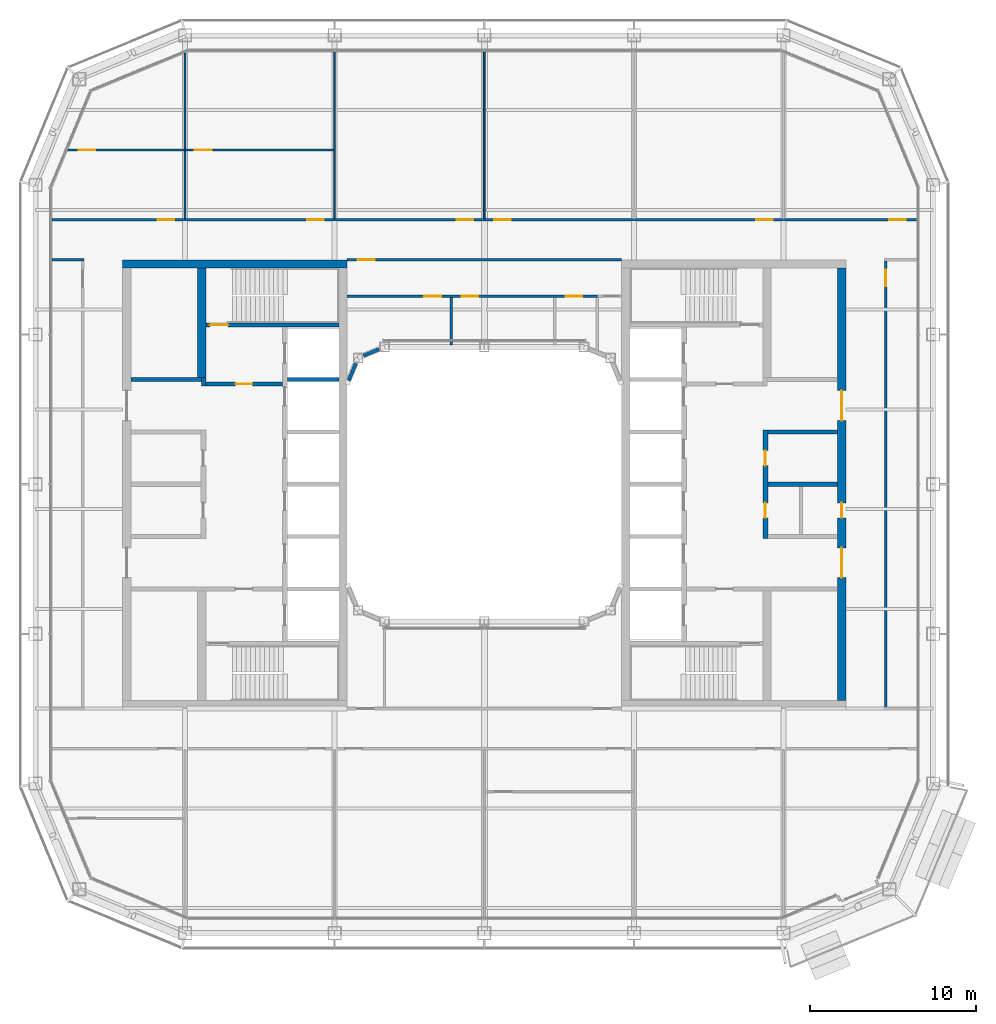
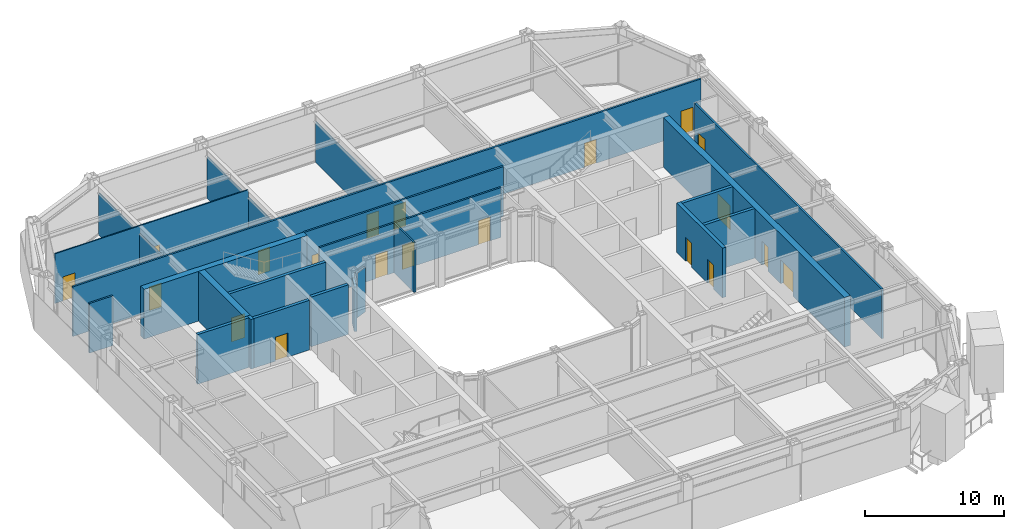
# One storey, part 14 of 22: 24 walls, 20 doors, 20 openings.
"""IFC4 building model written with IfcOpenShell, lengths in metres."""

from ifc_helpers import new_model, si_unit, direction, frame, frame_2d, origin, place, context, subcontext, project, spatial, rectangle, extrude, material, layer, layer_set, type_object, element, fill, save


model = new_model("IFC4")

# Units and contexts
model_context = context("Model", 3, precision=1e-05, world=origin(), true_north=direction((0.0, 1.0)))
body_context = subcontext(model_context, "Body", "Model", "MODEL_VIEW")
ifc_project = project(units=[si_unit("LENGTHUNIT", "METRE"), si_unit("AREAUNIT", "SQUARE_METRE"), si_unit("VOLUMEUNIT", "CUBIC_METRE"), si_unit("PLANEANGLEUNIT", "RADIAN"), si_unit("MASSUNIT", "GRAM", prefix="KILO")], contexts=[model_context])

# Site, building, storey
site_placement = place(None, origin())
site = spatial("IfcSite", under=ifc_project, at=site_placement, CompositionType="ELEMENT")
building_placement = place(site_placement, origin())
building = spatial("IfcBuilding", under=site, at=building_placement, Name="Siwar Civic Tower", CompositionType="ELEMENT")
storey_placement = place(building_placement, frame((0.0, 0.0, 255.699951171875)))
storey = spatial("IfcBuildingStorey", under=building, at=storey_placement, Name="L55", CompositionType="ELEMENT", Elevation=255.699951171875)

# Wall, opening, door
ifc_material_1 = material(Name="Concrete C60/75", Category="concrete")
ifc_layer_1 = layer(ifc_material_1, 0.25)
ifc_layer_set_1 = layer_set([ifc_layer_1], Name="Concrete C60/75")
wall_type_1 = type_object("IfcWallType", Name="CORE-WALL-RC250", PredefinedType="SHEAR", material=ifc_layer_set_1)
wall_1_placement = place(storey_placement, frame((-12.14990234375, 6.02490234375, 0.0), z_axis=(0.0, 0.0, 1.0), x_axis=(-1.0, 0.0, 0.0)))
wall_1 = element("IfcWall", 1, at=wall_1_placement, inside=storey, type_object=wall_type_1, Name="Core wall W", PredefinedType="SHEAR", context=body_context, shape_type="SweptSolid", body=[
    extrude(rectangle(XDim=4.60009765625, YDim=0.25, at=frame_2d((2.300048828125, 0.0))), origin(), (0.0, 0.0, 1.0), 4.35009765625),
])
opening_1_placement = place(wall_1_placement, frame((1.800048828125, 0.0, 0.0)))
opening_1 = element("IfcOpeningElement", 2, at=opening_1_placement, cuts=wall_1, Name="Opening L55-CW01", PredefinedType="OPENING", context=body_context, shape_type="SweptSolid", body=[
    extrude(rectangle(XDim=1.0, YDim=2.10009765625, at=frame_2d((0.5, 1.050048828125))), frame((0.0, 0.135009765625, 0.0), z_axis=(0.0, -1.0, 0.0), x_axis=(1.0, 0.0, 0.0)), (0.0, 0.0, 1.0), 0.27001953125),
])
ifc_material_2 = material(Name="Steel door leaf", Category="steel")
door_type_1 = type_object("IfcDoorType", Name="CORE-DOOR-FD30S", OperationType="SINGLE_SWING_LEFT", PredefinedType="DOOR", material=ifc_material_2)
door_1_placement = place(opening_1_placement, origin())
door_1 = element("IfcDoor", 3, at=door_1_placement, inside=storey, type_object=door_type_1, Name="Firefighting lobby door L55-CW01", OperationType="SINGLE_SWING_LEFT", OverallHeight=2.10009765625, OverallWidth=1.0, PredefinedType="DOOR", context=body_context, shape_type="SweptSolid", body=[
    extrude(rectangle(XDim=1.0, YDim=2.10009765625, at=frame_2d((0.5, 1.050048828125))), frame((0.0, 0.02490234375, 0.0), z_axis=(0.0, -1.0, 0.0), x_axis=(1.0, 0.0, 0.0)), (0.0, 0.0, 1.0), 0.050048828125),
])
fill(opening_1, door_1)

# Walls
wall_2_placement = place(storey_placement, frame((-16.875, 5.89990234375, 0.0), z_axis=(0.0, 0.0, 1.0), x_axis=(0.0, 1.0, 0.0)))
element("IfcWall", 4, at=wall_2_placement, inside=storey, type_object=wall_type_1, Name="Core wall W", PredefinedType="SHEAR", context=body_context, shape_type="SweptSolid", body=[
    extrude(rectangle(XDim=0.525146484375, YDim=0.25, at=frame_2d((0.2626953125, 0.0))), origin(), (0.0, 0.0, 1.0), 4.35009765625),
])
wall_3_placement = place(storey_placement, frame((-17.0, 6.300048828125, 0.0), z_axis=(0.0, 0.0, 1.0), x_axis=(-1.0, 0.0, 0.0)))
element("IfcWall", 5, at=wall_3_placement, inside=storey, type_object=wall_type_1, Name="Core wall W", PredefinedType="SHEAR", context=body_context, shape_type="SweptSolid", body=[
    extrude(rectangle(XDim=4.25, YDim=0.25, at=frame_2d((2.125, 0.0))), origin(), (0.0, 0.0, 1.0), 4.35009765625),
])
wall_4_placement = place(storey_placement, frame((-8.75, 6.300048828125, 0.0), z_axis=(0.0, 0.0, 1.0), x_axis=(-1.0, 0.0, 0.0)))
element("IfcWall", 6, at=wall_4_placement, inside=storey, type_object=wall_type_1, Name="Core wall W", PredefinedType="SHEAR", context=body_context, shape_type="SweptSolid", body=[
    extrude(rectangle(XDim=3.10009765625, YDim=0.25, at=frame_2d((1.550048828125, 0.0))), origin(), (0.0, 0.0, 1.0), 4.35009765625),
])

# Wall, opening, door
wall_5_placement = place(storey_placement, frame((-8.75, 9.574951171875, 0.0), z_axis=(0.0, 0.0, 1.0), x_axis=(-1.0, 0.0, 0.0)))
wall_5 = element("IfcWall", 7, at=wall_5_placement, inside=storey, type_object=wall_type_1, Name="Core wall W", PredefinedType="SHEAR", context=body_context, shape_type="SweptSolid", body=[
    extrude(rectangle(XDim=8.0, YDim=0.25, at=frame_2d((4.0, 0.0))), origin(), (0.0, 0.0, 1.0), 4.35009765625),
])
opening_2_placement = place(wall_5_placement, frame((6.64990234375, 0.0, 0.0)))
opening_2 = element("IfcOpeningElement", 8, at=opening_2_placement, cuts=wall_5, Name="Opening L55-CW03", PredefinedType="OPENING", context=body_context, shape_type="SweptSolid", body=[
    extrude(rectangle(XDim=1.10009765625, YDim=2.10009765625, at=frame_2d((0.550048828125, 1.050048828125))), frame((0.0, 0.135009765625, 0.0), z_axis=(0.0, -1.0, 0.0), x_axis=(1.0, 0.0, 0.0)), (0.0, 0.0, 1.0), 0.27001953125),
])
ifc_material_3 = material(Name="Steel door leaf", Category="steel")
door_type_2 = type_object("IfcDoorType", Name="CORE-DOOR-FD60S", OperationType="SINGLE_SWING_LEFT", PredefinedType="DOOR", material=ifc_material_3)
door_2_placement = place(opening_2_placement, origin())
door_2 = element("IfcDoor", 9, at=door_2_placement, inside=storey, type_object=door_type_2, Name="Stair door L55-CW03", OperationType="SINGLE_SWING_RIGHT", OverallHeight=2.10009765625, OverallWidth=1.10009765625, PredefinedType="DOOR", context=body_context, shape_type="SweptSolid", body=[
    extrude(rectangle(XDim=1.10009765625, YDim=2.10009765625, at=frame_2d((0.550048828125, 1.050048828125))), frame((0.0, 0.02490234375, 0.0), z_axis=(0.0, -1.0, 0.0), x_axis=(1.0, 0.0, 0.0)), (0.0, 0.0, 1.0), 0.050048828125),
])
fill(opening_2, door_2)

# Walls
for number, where, z_axis, x_axis, name in (
    (10, (17.050048828125, 0.0, 0.0), (0.0, 0.0, 1.0), (1.0, 0.0, 0.0), "Core wall E"),
    (11, (17.050048828125, 3.14990234375, 0.0), (0.0, 0.0, 1.0), (1.0, 0.0, 0.0), "Core wall E"),
):
    element("IfcWall", number, at=place(storey_placement, frame(where, z_axis=z_axis, x_axis=x_axis)), inside=storey, type_object=wall_type_1, Name=name, PredefinedType="SHEAR", context=body_context, shape_type="SweptSolid", body=[
        extrude(rectangle(XDim=4.199951171875, YDim=0.25, at=frame_2d((2.10009765625, 0.0))), origin(), (0.0, 0.0, 1.0), 4.35009765625),
    ])

# Wall, openings, doors
ifc_material_4 = material(Name="Concrete C60/75", Category="concrete")
ifc_layer_2 = layer(ifc_material_4, 0.300048828125)
ifc_layer_set_2 = layer_set([ifc_layer_2], Name="Concrete C60/75")
wall_type_2 = type_object("IfcWallType", Name="CORE-WALL-RC300", PredefinedType="SHEAR", material=ifc_layer_set_2)
wall_6_placement = place(storey_placement, frame((16.89990234375, -3.27490234375, 0.0), z_axis=(0.0, 0.0, 1.0), x_axis=(0.0, 1.0, 0.0)))
wall_6 = element("IfcWall", 12, at=wall_6_placement, inside=storey, type_object=wall_type_2, Name="Core wall E", PredefinedType="SHEAR", context=body_context, shape_type="SweptSolid", body=[
    extrude(rectangle(XDim=6.5498046875, YDim=0.300048828125, at=frame_2d((3.27490234375, 0.0))), origin(), (0.0, 0.0, 1.0), 4.35009765625),
])
opening_3_placement = place(wall_6_placement, frame((1.25, 0.0, 0.0)))
opening_3 = element("IfcOpeningElement", 13, at=opening_3_placement, cuts=wall_6, Name="Opening L55-CE13", PredefinedType="OPENING", context=body_context, shape_type="SweptSolid", body=[
    extrude(rectangle(XDim=0.89990234375, YDim=2.10009765625, at=frame_2d((0.449951171875, 1.050048828125))), frame((0.0, 0.16015625, 0.0), z_axis=(0.0, -1.0, 0.0), x_axis=(1.0, 0.0, 0.0)), (0.0, 0.0, 1.0), 0.320068359375),
])
opening_4_placement = place(wall_6_placement, frame((4.39990234375, 0.0, 0.0)))
opening_4 = element("IfcOpeningElement", 14, at=opening_4_placement, cuts=wall_6, Name="Opening L55-CE15", PredefinedType="OPENING", context=body_context, shape_type="SweptSolid", body=[
    extrude(rectangle(XDim=0.89990234375, YDim=2.10009765625, at=frame_2d((0.449951171875, 1.050048828125))), frame((0.0, 0.16015625, 0.0), z_axis=(0.0, -1.0, 0.0), x_axis=(1.0, 0.0, 0.0)), (0.0, 0.0, 1.0), 0.320068359375),
])
ifc_material_5 = material(Name="Steel door leaf", Category="steel")
door_type_3 = type_object("IfcDoorType", Name="CORE-DOOR-ROOM", OperationType="SINGLE_SWING_LEFT", PredefinedType="DOOR", material=ifc_material_5)
door_3_placement = place(opening_3_placement, origin())
door_3 = element("IfcDoor", 15, at=door_3_placement, inside=storey, type_object=door_type_3, Name="Core room door L55-CE13", OperationType="SINGLE_SWING_RIGHT", OverallHeight=2.10009765625, OverallWidth=0.89990234375, PredefinedType="DOOR", context=body_context, shape_type="SweptSolid", body=[
    extrude(rectangle(XDim=0.89990234375, YDim=2.10009765625, at=frame_2d((0.449951171875, 1.050048828125))), frame((0.0, 0.02490234375, 0.0), z_axis=(0.0, -1.0, 0.0), x_axis=(1.0, 0.0, 0.0)), (0.0, 0.0, 1.0), 0.050048828125),
])
fill(opening_3, door_3)
door_4_placement = place(opening_4_placement, origin())
door_4 = element("IfcDoor", 16, at=door_4_placement, inside=storey, type_object=door_type_3, Name="Core room door L55-CE15", OperationType="SINGLE_SWING_LEFT", OverallHeight=2.10009765625, OverallWidth=0.89990234375, PredefinedType="DOOR", context=body_context, shape_type="SweptSolid", body=[
    extrude(rectangle(XDim=0.89990234375, YDim=2.10009765625, at=frame_2d((0.449951171875, 1.050048828125))), frame((0.0, 0.02490234375, 0.0), z_axis=(0.0, -1.0, 0.0), x_axis=(1.0, 0.0, 0.0)), (0.0, 0.0, 1.0), 0.050048828125),
])
fill(opening_4, door_4)

# Walls
ifc_material_6 = material(Name="Concrete C60/75", Category="concrete")
ifc_layer_3 = layer(ifc_material_6, 0.5)
ifc_layer_set_3 = layer_set([ifc_layer_3], Name="Concrete C60/75")
wall_type_3 = type_object("IfcWallType", Name="CORE-WALL-RC500", PredefinedType="SHEAR", material=ifc_layer_set_3)
wall_7_placement = place(storey_placement, frame((-17.0, 6.425048828125, 0.0), z_axis=(0.0, 0.0, 1.0), x_axis=(0.0, 1.0, 0.0)))
element("IfcWall", 17, at=wall_7_placement, inside=storey, type_object=wall_type_3, Name="Core wall W", PredefinedType="SHEAR", context=body_context, shape_type="SweptSolid", body=[
    extrude(rectangle(XDim=6.574951171875, YDim=0.5, at=frame_2d((3.28759765625, 0.0))), origin(), (0.0, 0.0, 1.0), 4.35009765625),
])
wall_8_placement = place(storey_placement, frame((-8.25, 13.25, 0.0), z_axis=(0.0, 0.0, 1.0), x_axis=(-1.0, 0.0, 0.0)))
element("IfcWall", 18, at=wall_8_placement, inside=storey, type_object=wall_type_3, Name="Core wall W", PredefinedType="SHEAR", context=body_context, shape_type="SweptSolid", body=[
    extrude(rectangle(XDim=13.5, YDim=0.5, at=frame_2d((6.75, 0.0))), origin(), (0.0, 0.0, 1.0), 4.35009765625),
])

# Wall, openings, doors
wall_9_placement = place(storey_placement, frame((21.5, -13.0, 0.0), z_axis=(0.0, 0.0, 1.0), x_axis=(0.0, 1.0, 0.0)))
wall_9 = element("IfcWall", 19, at=wall_9_placement, inside=storey, type_object=wall_type_3, Name="Core wall E", PredefinedType="SHEAR", context=body_context, shape_type="SweptSolid", body=[
    extrude(rectangle(XDim=26.0, YDim=0.5, at=frame_2d((13.0, 0.0))), origin(), (0.0, 0.0, 1.0), 4.35009765625),
])
opening_5_placement = place(wall_9_placement, frame((16.824951171875, 0.0, 0.0)))
opening_5 = element("IfcOpeningElement", 20, at=opening_5_placement, cuts=wall_9, Name="Opening L55-CE05", PredefinedType="OPENING", context=body_context, shape_type="SweptSolid", body=[
    extrude(rectangle(XDim=1.800048828125, YDim=2.10009765625, at=frame_2d((0.89990234375, 1.050048828125))), frame((0.0, 0.260009765625, 0.0), z_axis=(0.0, -1.0, 0.0), x_axis=(1.0, 0.0, 0.0)), (0.0, 0.0, 1.0), 0.52001953125),
])
opening_6_placement = place(wall_9_placement, frame((7.375, 0.0, 0.0)))
opening_6 = element("IfcOpeningElement", 21, at=opening_6_placement, cuts=wall_9, Name="Opening L55-CE06", PredefinedType="OPENING", context=body_context, shape_type="SweptSolid", body=[
    extrude(rectangle(XDim=1.800048828125, YDim=2.10009765625, at=frame_2d((0.89990234375, 1.050048828125))), frame((0.0, 0.260009765625, 0.0), z_axis=(0.0, -1.0, 0.0), x_axis=(1.0, 0.0, 0.0)), (0.0, 0.0, 1.0), 0.52001953125),
])
opening_7_placement = place(wall_9_placement, frame((10.97509765625, 0.0, 0.0)))
opening_7 = element("IfcOpeningElement", 22, at=opening_7_placement, cuts=wall_9, Name="Opening L55-CE14", PredefinedType="OPENING", context=body_context, shape_type="SweptSolid", body=[
    extrude(rectangle(XDim=0.89990234375, YDim=2.10009765625, at=frame_2d((0.449951171875, 1.050048828125))), frame((0.0, 0.260009765625, 0.0), z_axis=(0.0, -1.0, 0.0), x_axis=(1.0, 0.0, 0.0)), (0.0, 0.0, 1.0), 0.52001953125),
])
ifc_material_7 = material(Name="Steel door leaf", Category="steel")
door_type_4 = type_object("IfcDoorType", Name="CORE-DOOR-PORT", OperationType="DOUBLE_DOOR_DOUBLE_SWING", PredefinedType="DOOR", material=ifc_material_7)
door_5_placement = place(opening_5_placement, origin())
door_5 = element("IfcDoor", 23, at=door_5_placement, inside=storey, type_object=door_type_4, Name="Core entrance door L55-CE05", OperationType="DOUBLE_DOOR_DOUBLE_SWING", OverallHeight=2.10009765625, OverallWidth=1.800048828125, PredefinedType="DOOR", context=body_context, shape_type="SweptSolid", body=[
    extrude(rectangle(XDim=1.800048828125, YDim=2.10009765625, at=frame_2d((0.89990234375, 1.050048828125))), frame((0.0, 0.02490234375, 0.0), z_axis=(0.0, -1.0, 0.0), x_axis=(1.0, 0.0, 0.0)), (0.0, 0.0, 1.0), 0.050048828125),
])
fill(opening_5, door_5)
door_6_placement = place(opening_6_placement, origin())
door_6 = element("IfcDoor", 24, at=door_6_placement, inside=storey, type_object=door_type_4, Name="Core entrance door L55-CE06", OperationType="DOUBLE_DOOR_DOUBLE_SWING", OverallHeight=2.10009765625, OverallWidth=1.800048828125, PredefinedType="DOOR", context=body_context, shape_type="SweptSolid", body=[
    extrude(rectangle(XDim=1.800048828125, YDim=2.10009765625, at=frame_2d((0.89990234375, 1.050048828125))), frame((0.0, 0.02490234375, 0.0), z_axis=(0.0, -1.0, 0.0), x_axis=(1.0, 0.0, 0.0)), (0.0, 0.0, 1.0), 0.050048828125),
])
fill(opening_6, door_6)
door_7_placement = place(opening_7_placement, origin())
door_7 = element("IfcDoor", 25, at=door_7_placement, inside=storey, type_object=door_type_3, Name="Core room door L55-CE14", OperationType="SINGLE_SWING_LEFT", OverallHeight=2.10009765625, OverallWidth=0.89990234375, PredefinedType="DOOR", context=body_context, shape_type="SweptSolid", body=[
    extrude(rectangle(XDim=0.89990234375, YDim=2.10009765625, at=frame_2d((0.449951171875, 1.050048828125))), frame((0.0, 0.02490234375, 0.0), z_axis=(0.0, -1.0, 0.0), x_axis=(1.0, 0.0, 0.0)), (0.0, 0.0, 1.0), 0.050048828125),
])
fill(opening_7, door_7)

ifc_material_8 = material(Name="Gypsum board on steel studs", Category="steel")
ifc_layer_4 = layer(ifc_material_8, 0.14990234375)
ifc_layer_set_4 = layer_set([ifc_layer_4], Name="Gypsum board on steel studs")
wall_type_4 = type_object("IfcWallType", Name="CORRIDOR PARTITION 150 EI 30", PredefinedType="PARTITIONING", material=ifc_layer_set_4)
wall_10_placement = place(storey_placement, frame((-8.25, 11.300048828125, 0.0), z_axis=(0.0, 0.0, 1.0), x_axis=(1.0, 0.0, 0.0)))
wall_10 = element("IfcWall", 26, at=wall_10_placement, inside=storey, type_object=wall_type_4, Name="L55/wall/P07", PredefinedType="PARTITIONING", context=body_context, shape_type="SweptSolid", body=[
    extrude(rectangle(XDim=15.050048828125, YDim=0.14990234375, at=frame_2d((7.52490234375, 0.0))), origin(), (0.0, 0.0, 1.0), 4.35009765625),
])
opening_8_placement = place(wall_10_placement, frame((4.64990234375, 0.0, 0.0)))
opening_8 = element("IfcOpeningElement", 27, at=opening_8_placement, cuts=wall_10, Name="Opening D3", PredefinedType="OPENING", context=body_context, shape_type="SweptSolid", body=[
    extrude(rectangle(XDim=1.0, YDim=2.10009765625, at=frame_2d((0.5, 1.050048828125))), frame((0.0, 0.0849609375, 0.0), z_axis=(0.0, -1.0, 0.0), x_axis=(1.0, 0.0, 0.0)), (0.0, 0.0, 1.0), 0.169921875),
])
opening_9_placement = place(wall_10_placement, frame((6.89990234375, 0.0, 0.0)))
opening_9 = element("IfcOpeningElement", 28, at=opening_9_placement, cuts=wall_10, Name="Opening D3", PredefinedType="OPENING", context=body_context, shape_type="SweptSolid", body=[
    extrude(rectangle(XDim=1.0, YDim=2.10009765625, at=frame_2d((0.5, 1.050048828125))), frame((0.0, 0.0849609375, 0.0), z_axis=(0.0, -1.0, 0.0), x_axis=(1.0, 0.0, 0.0)), (0.0, 0.0, 1.0), 0.169921875),
])
opening_10_placement = place(wall_10_placement, frame((13.14990234375, 0.0, 0.0)))
opening_10 = element("IfcOpeningElement", 29, at=opening_10_placement, cuts=wall_10, Name="Opening D3", PredefinedType="OPENING", context=body_context, shape_type="SweptSolid", body=[
    extrude(rectangle(XDim=1.0, YDim=2.10009765625, at=frame_2d((0.5, 1.050048828125))), frame((0.0, 0.0849609375, 0.0), z_axis=(0.0, -1.0, 0.0), x_axis=(1.0, 0.0, 0.0)), (0.0, 0.0, 1.0), 0.169921875),
])
ifc_material_9 = material(Name="Timber, painted", Category="wood")
door_type_5 = type_object("IfcDoorType", Name="DOOR 1000 X 2100 WC", OperationType="SINGLE_SWING_LEFT", PredefinedType="DOOR", material=ifc_material_9)
door_8_placement = place(opening_8_placement, origin())
door_8 = element("IfcDoor", 30, at=door_8_placement, inside=storey, type_object=door_type_5, Name="L55-D20", OperationType="SINGLE_SWING_RIGHT", OverallHeight=2.10009765625, OverallWidth=1.0, PredefinedType="DOOR", context=body_context, shape_type="SweptSolid", body=[
    extrude(rectangle(XDim=1.0, YDim=2.10009765625, at=frame_2d((0.5, 1.050048828125))), frame((0.0, 0.02490234375, 0.0), z_axis=(0.0, -1.0, 0.0), x_axis=(1.0, 0.0, 0.0)), (0.0, 0.0, 1.0), 0.050048828125),
])
fill(opening_8, door_8)
door_9_placement = place(opening_9_placement, origin())
door_9 = element("IfcDoor", 31, at=door_9_placement, inside=storey, type_object=door_type_5, Name="L55-D21", OperationType="SINGLE_SWING_LEFT", OverallHeight=2.10009765625, OverallWidth=1.0, PredefinedType="DOOR", context=body_context, shape_type="SweptSolid", body=[
    extrude(rectangle(XDim=1.0, YDim=2.10009765625, at=frame_2d((0.5, 1.050048828125))), frame((0.0, 0.02490234375, 0.0), z_axis=(0.0, -1.0, 0.0), x_axis=(1.0, 0.0, 0.0)), (0.0, 0.0, 1.0), 0.050048828125),
])
fill(opening_9, door_9)
door_10_placement = place(opening_10_placement, origin())
door_10 = element("IfcDoor", 32, at=door_10_placement, inside=storey, type_object=door_type_5, Name="L55-D22", OperationType="SINGLE_SWING_RIGHT", OverallHeight=2.10009765625, OverallWidth=1.0, PredefinedType="DOOR", context=body_context, shape_type="SweptSolid", body=[
    extrude(rectangle(XDim=1.0, YDim=2.10009765625, at=frame_2d((0.5, 1.050048828125))), frame((0.0, 0.02490234375, 0.0), z_axis=(0.0, -1.0, 0.0), x_axis=(1.0, 0.0, 0.0)), (0.0, 0.0, 1.0), 0.050048828125),
])
fill(opening_10, door_10)

# Wall
wall_11_placement = place(storey_placement, frame((-26.010009765625, 13.5, 0.0), z_axis=(0.0, 0.0, 1.0), x_axis=(1.0, 0.0, 0.0)))
element("IfcWall", 33, at=wall_11_placement, inside=storey, type_object=wall_type_4, Name="L55/wall/P09", PredefinedType="PARTITIONING", context=body_context, shape_type="SweptSolid", body=[
    extrude(rectangle(XDim=1.93505859375, YDim=0.14990234375, at=frame_2d((0.967529296875, 0.0))), origin(), (0.0, 0.0, 1.0), 4.35009765625),
])

# Wall, opening, door
wall_12_placement = place(storey_placement, frame((-8.25, 13.5, 0.0), z_axis=(0.0, 0.0, 1.0), x_axis=(1.0, 0.0, 0.0)))
wall_12 = element("IfcWall", 34, at=wall_12_placement, inside=storey, type_object=wall_type_4, Name="L55/wall/P10", PredefinedType="PARTITIONING", context=body_context, shape_type="SweptSolid", body=[
    extrude(rectangle(XDim=16.5, YDim=0.14990234375, at=frame_2d((8.25, 0.0))), origin(), (0.0, 0.0, 1.0), 4.35009765625),
])
opening_11_placement = place(wall_12_placement, frame((0.64990234375, 0.0, 0.0)))
opening_11 = element("IfcOpeningElement", 35, at=opening_11_placement, cuts=wall_12, Name="Opening D1", PredefinedType="OPENING", context=body_context, shape_type="SweptSolid", body=[
    extrude(rectangle(XDim=1.0, YDim=2.10009765625, at=frame_2d((0.5, 1.050048828125))), frame((0.0, 0.0849609375, 0.0), z_axis=(0.0, -1.0, 0.0), x_axis=(1.0, 0.0, 0.0)), (0.0, 0.0, 1.0), 0.169921875),
])
ifc_material_10 = material(Name="Timber, painted", Category="wood")
door_type_6 = type_object("IfcDoorType", Name="DOOR 1000 X 2100 FD30", OperationType="SINGLE_SWING_LEFT", PredefinedType="DOOR", material=ifc_material_10)
door_11_placement = place(opening_11_placement, origin())
door_11 = element("IfcDoor", 36, at=door_11_placement, inside=storey, type_object=door_type_6, Name="L55-D19", OperationType="SINGLE_SWING_LEFT", OverallHeight=2.10009765625, OverallWidth=1.0, PredefinedType="DOOR", context=body_context, shape_type="SweptSolid", body=[
    extrude(rectangle(XDim=1.0, YDim=2.10009765625, at=frame_2d((0.5, 1.050048828125))), frame((0.0, 0.02490234375, 0.0), z_axis=(0.0, -1.0, 0.0), x_axis=(1.0, 0.0, 0.0)), (0.0, 0.0, 1.0), 0.050048828125),
])
fill(opening_11, door_11)

# Wall, openings, doors
wall_13_placement = place(storey_placement, frame((-26.010009765625, 15.89990234375, 0.0), z_axis=(0.0, 0.0, 1.0), x_axis=(1.0, 0.0, 0.0)))
wall_13 = element("IfcWall", 37, at=wall_13_placement, inside=storey, type_object=wall_type_4, Name="L55/wall/P12", PredefinedType="PARTITIONING", context=body_context, shape_type="SweptSolid", body=[
    extrude(rectangle(XDim=52.02001953125, YDim=0.14990234375, at=frame_2d((26.010009765625, 0.0))), origin(), (0.0, 0.0, 1.0), 4.35009765625),
])
opening_12_placement = place(wall_13_placement, frame((15.360107421875, 0.0, 0.0)))
opening_12 = element("IfcOpeningElement", 38, at=opening_12_placement, cuts=wall_13, Name="Opening D1", PredefinedType="OPENING", context=body_context, shape_type="SweptSolid", body=[
    extrude(rectangle(XDim=1.0, YDim=2.10009765625, at=frame_2d((0.5, 1.050048828125))), frame((0.0, 0.0849609375, 0.0), z_axis=(0.0, -1.0, 0.0), x_axis=(1.0, 0.0, 0.0)), (0.0, 0.0, 1.0), 0.169921875),
])
opening_13_placement = place(wall_13_placement, frame((24.360107421875, 0.0, 0.0)))
opening_13 = element("IfcOpeningElement", 39, at=opening_13_placement, cuts=wall_13, Name="Opening D1", PredefinedType="OPENING", context=body_context, shape_type="SweptSolid", body=[
    extrude(rectangle(XDim=1.0, YDim=2.10009765625, at=frame_2d((0.5, 1.050048828125))), frame((0.0, 0.0849609375, 0.0), z_axis=(0.0, -1.0, 0.0), x_axis=(1.0, 0.0, 0.0)), (0.0, 0.0, 1.0), 0.169921875),
])
opening_14_placement = place(wall_13_placement, frame((26.610107421875, 0.0, 0.0)))
opening_14 = element("IfcOpeningElement", 40, at=opening_14_placement, cuts=wall_13, Name="Opening D1", PredefinedType="OPENING", context=body_context, shape_type="SweptSolid", body=[
    extrude(rectangle(XDim=1.0, YDim=2.10009765625, at=frame_2d((0.5, 1.050048828125))), frame((0.0, 0.0849609375, 0.0), z_axis=(0.0, -1.0, 0.0), x_axis=(1.0, 0.0, 0.0)), (0.0, 0.0, 1.0), 0.169921875),
])
opening_15_placement = place(wall_13_placement, frame((42.360107421875, 0.0, 0.0)))
opening_15 = element("IfcOpeningElement", 41, at=opening_15_placement, cuts=wall_13, Name="Opening D1", PredefinedType="OPENING", context=body_context, shape_type="SweptSolid", body=[
    extrude(rectangle(XDim=1.0, YDim=2.10009765625, at=frame_2d((0.5, 1.050048828125))), frame((0.0, 0.0849609375, 0.0), z_axis=(0.0, -1.0, 0.0), x_axis=(1.0, 0.0, 0.0)), (0.0, 0.0, 1.0), 0.169921875),
])
opening_16_placement = place(wall_13_placement, frame((6.360107421875, 0.0, 0.0)))
opening_16 = element("IfcOpeningElement", 42, at=opening_16_placement, cuts=wall_13, Name="Opening D1", PredefinedType="OPENING", context=body_context, shape_type="SweptSolid", body=[
    extrude(rectangle(XDim=1.0, YDim=2.10009765625, at=frame_2d((0.5, 1.050048828125))), frame((0.0, 0.0849609375, 0.0), z_axis=(0.0, -1.0, 0.0), x_axis=(1.0, 0.0, 0.0)), (0.0, 0.0, 1.0), 0.169921875),
])
opening_17_placement = place(wall_13_placement, frame((50.3701171875, 0.0, 0.0)))
opening_17 = element("IfcOpeningElement", 43, at=opening_17_placement, cuts=wall_13, Name="Opening D1", PredefinedType="OPENING", context=body_context, shape_type="SweptSolid", body=[
    extrude(rectangle(XDim=1.0, YDim=2.10009765625, at=frame_2d((0.5, 1.050048828125))), frame((0.0, 0.0849609375, 0.0), z_axis=(0.0, -1.0, 0.0), x_axis=(1.0, 0.0, 0.0)), (0.0, 0.0, 1.0), 0.169921875),
])
door_12_placement = place(opening_12_placement, origin())
door_12 = element("IfcDoor", 44, at=door_12_placement, inside=storey, type_object=door_type_6, Name="L55-D01", OperationType="SINGLE_SWING_LEFT", OverallHeight=2.10009765625, OverallWidth=1.0, PredefinedType="DOOR", context=body_context, shape_type="SweptSolid", body=[
    extrude(rectangle(XDim=1.0, YDim=2.10009765625, at=frame_2d((0.5, 1.050048828125))), frame((0.0, 0.02490234375, 0.0), z_axis=(0.0, -1.0, 0.0), x_axis=(1.0, 0.0, 0.0)), (0.0, 0.0, 1.0), 0.050048828125),
])
fill(opening_12, door_12)
door_13_placement = place(opening_13_placement, origin())
door_13 = element("IfcDoor", 45, at=door_13_placement, inside=storey, type_object=door_type_6, Name="L55-D03", OperationType="SINGLE_SWING_LEFT", OverallHeight=2.10009765625, OverallWidth=1.0, PredefinedType="DOOR", context=body_context, shape_type="SweptSolid", body=[
    extrude(rectangle(XDim=1.0, YDim=2.10009765625, at=frame_2d((0.5, 1.050048828125))), frame((0.0, 0.02490234375, 0.0), z_axis=(0.0, -1.0, 0.0), x_axis=(1.0, 0.0, 0.0)), (0.0, 0.0, 1.0), 0.050048828125),
])
fill(opening_13, door_13)
door_14_placement = place(opening_14_placement, origin())
door_14 = element("IfcDoor", 46, at=door_14_placement, inside=storey, type_object=door_type_6, Name="L55-D04", OperationType="SINGLE_SWING_RIGHT", OverallHeight=2.10009765625, OverallWidth=1.0, PredefinedType="DOOR", context=body_context, shape_type="SweptSolid", body=[
    extrude(rectangle(XDim=1.0, YDim=2.10009765625, at=frame_2d((0.5, 1.050048828125))), frame((0.0, 0.02490234375, 0.0), z_axis=(0.0, -1.0, 0.0), x_axis=(1.0, 0.0, 0.0)), (0.0, 0.0, 1.0), 0.050048828125),
])
fill(opening_14, door_14)
door_15_placement = place(opening_15_placement, origin())
door_15 = element("IfcDoor", 47, at=door_15_placement, inside=storey, type_object=door_type_6, Name="L55-D05", OperationType="SINGLE_SWING_LEFT", OverallHeight=2.10009765625, OverallWidth=1.0, PredefinedType="DOOR", context=body_context, shape_type="SweptSolid", body=[
    extrude(rectangle(XDim=1.0, YDim=2.10009765625, at=frame_2d((0.5, 1.050048828125))), frame((0.0, 0.02490234375, 0.0), z_axis=(0.0, -1.0, 0.0), x_axis=(1.0, 0.0, 0.0)), (0.0, 0.0, 1.0), 0.050048828125),
])
fill(opening_15, door_15)
door_16_placement = place(opening_16_placement, origin())
door_16 = element("IfcDoor", 48, at=door_16_placement, inside=storey, type_object=door_type_6, Name="L55-D11", OperationType="SINGLE_SWING_LEFT", OverallHeight=2.10009765625, OverallWidth=1.0, PredefinedType="DOOR", context=body_context, shape_type="SweptSolid", body=[
    extrude(rectangle(XDim=1.0, YDim=2.10009765625, at=frame_2d((0.5, 1.050048828125))), frame((0.0, 0.02490234375, 0.0), z_axis=(0.0, -1.0, 0.0), x_axis=(1.0, 0.0, 0.0)), (0.0, 0.0, 1.0), 0.050048828125),
])
fill(opening_16, door_16)
door_17_placement = place(opening_17_placement, origin())
door_17 = element("IfcDoor", 49, at=door_17_placement, inside=storey, type_object=door_type_6, Name="L55-D13", OperationType="SINGLE_SWING_LEFT", OverallHeight=2.10009765625, OverallWidth=1.0, PredefinedType="DOOR", context=body_context, shape_type="SweptSolid", body=[
    extrude(rectangle(XDim=1.0, YDim=2.10009765625, at=frame_2d((0.5, 1.050048828125))), frame((0.0, 0.02490234375, 0.0), z_axis=(0.0, -1.0, 0.0), x_axis=(1.0, 0.0, 0.0)), (0.0, 0.0, 1.0), 0.050048828125),
])
fill(opening_17, door_17)

# Wall
wall_14_placement = place(storey_placement, frame((-2.0, 8.3701171875, 0.0), z_axis=(0.0, 0.0, 1.0), x_axis=(0.0, 1.0, 0.0)))
element("IfcWall", 50, at=wall_14_placement, inside=storey, type_object=wall_type_4, Name="L55/wall/P21", PredefinedType="PARTITIONING", context=body_context, shape_type="SweptSolid", body=[
    extrude(rectangle(XDim=2.85498046875, YDim=0.14990234375, at=frame_2d((1.427490234375, 0.0))), origin(), (0.0, 0.0, 1.0), 4.35009765625),
])

# Wall, opening, door
wall_15_placement = place(storey_placement, frame((24.14990234375, -13.425048828125, 0.0), z_axis=(0.0, 0.0, 1.0), x_axis=(0.0, 1.0, 0.0)))
wall_15 = element("IfcWall", 51, at=wall_15_placement, inside=storey, type_object=wall_type_4, Name="L55/wall/P30", PredefinedType="PARTITIONING", context=body_context, shape_type="SweptSolid", body=[
    extrude(rectangle(XDim=26.85009765625, YDim=0.14990234375, at=frame_2d((13.425048828125, 0.0))), origin(), (0.0, 0.0, 1.0), 4.35009765625),
])
opening_18_placement = place(wall_15_placement, frame((25.324951171875, 0.0, 0.0)))
opening_18 = element("IfcOpeningElement", 52, at=opening_18_placement, cuts=wall_15, Name="Opening D1", PredefinedType="OPENING", context=body_context, shape_type="SweptSolid", body=[
    extrude(rectangle(XDim=1.0, YDim=2.10009765625, at=frame_2d((0.5, 1.050048828125))), frame((0.0, 0.0849609375, 0.0), z_axis=(0.0, -1.0, 0.0), x_axis=(1.0, 0.0, 0.0)), (0.0, 0.0, 1.0), 0.169921875),
])
door_18_placement = place(opening_18_placement, origin())
door_18 = element("IfcDoor", 53, at=door_18_placement, inside=storey, type_object=door_type_6, Name="L55-D18", OperationType="SINGLE_SWING_RIGHT", OverallHeight=2.10009765625, OverallWidth=1.0, PredefinedType="DOOR", context=body_context, shape_type="SweptSolid", body=[
    extrude(rectangle(XDim=1.0, YDim=2.10009765625, at=frame_2d((0.5, 1.050048828125))), frame((0.0, 0.02490234375, 0.0), z_axis=(0.0, -1.0, 0.0), x_axis=(1.0, 0.0, 0.0)), (0.0, 0.0, 1.0), 0.050048828125),
])
fill(opening_18, door_18)

# Walls
ifc_material_11 = material(Name="Aluminium clad insulated panel", Category="aluminium")
ifc_layer_5 = layer(ifc_material_11, 0.199951171875)
ifc_layer_set_5 = layer_set([ifc_layer_5], Name="Aluminium clad insulated panel")
wall_type_5 = type_object("IfcWallType", Name="ENV-WALL-WELL", PredefinedType="STANDARD", material=ifc_layer_set_5)
wall_16_placement = place(storey_placement, frame((-6.33203125, 8.112548828125, 0.0), z_axis=(0.0, 0.0, 1.0), x_axis=(-0.923859650767, -0.382731427616, 0.0)))
element("IfcWall", 54, at=wall_16_placement, inside=storey, type_object=wall_type_5, Name="Light well corner wall NW1", PredefinedType="STANDARD", context=body_context, shape_type="SweptSolid", body=[
    extrude(rectangle(XDim=1.00341796875, YDim=0.199951171875, at=frame_2d((0.501708984375, 0.0))), origin(), (0.0, 0.0, 1.0), 3.91796875),
])
wall_17_placement = place(storey_placement, frame((-7.728515625, 7.259033203125, 0.0), z_axis=(0.0, 0.0, 1.0), x_axis=(-0.382635994082, -0.923899180665, 0.0)))
element("IfcWall", 55, at=wall_17_placement, inside=storey, type_object=wall_type_5, Name="Light well corner wall NW2", PredefinedType="STANDARD", context=body_context, shape_type="SweptSolid", body=[
    extrude(rectangle(XDim=1.11279296875, YDim=0.199951171875, at=frame_2d((0.556396484375, 0.0))), origin(), (0.0, 0.0, 1.0), 3.91796875),
])

# Wall, openings, doors
ifc_material_12 = material(Name="Gypsum board on steel studs", Category="steel")
ifc_layer_6 = layer(ifc_material_12, 0.10009765625)
ifc_layer_set_6 = layer_set([ifc_layer_6], Name="Gypsum board on steel studs")
wall_type_6 = type_object("IfcWallType", Name="PARTITION 100 GYPSUM", PredefinedType="PARTITIONING", material=ifc_layer_set_6)
wall_18_placement = place(storey_placement, frame((-25.05810546875, 20.10009765625, 0.0), z_axis=(0.0, 0.0, 1.0), x_axis=(1.0, 0.0, 0.0)))
wall_18 = element("IfcWall", 56, at=wall_18_placement, inside=storey, type_object=wall_type_6, Name="L55/wall/P13", PredefinedType="PARTITIONING", context=body_context, shape_type="SweptSolid", body=[
    extrude(rectangle(XDim=16.008056640625, YDim=0.10009765625, at=frame_2d((8.00390625, 0.0))), origin(), (0.0, 0.0, 1.0), 4.35009765625),
])
opening_19_placement = place(wall_18_placement, frame((7.657958984375, 0.0, 0.0)))
opening_19 = element("IfcOpeningElement", 57, at=opening_19_placement, cuts=wall_18, Name="Opening D2", PredefinedType="OPENING", context=body_context, shape_type="SweptSolid", body=[
    extrude(rectangle(XDim=1.0, YDim=2.10009765625, at=frame_2d((0.5, 1.050048828125))), frame((0.0, 0.06005859375, 0.0), z_axis=(0.0, -1.0, 0.0), x_axis=(1.0, 0.0, 0.0)), (0.0, 0.0, 1.0), 0.1201171875),
])
opening_20_placement = place(wall_18_placement, frame((0.657958984375, 0.0, 0.0)))
opening_20 = element("IfcOpeningElement", 58, at=opening_20_placement, cuts=wall_18, Name="Opening D2", PredefinedType="OPENING", context=body_context, shape_type="SweptSolid", body=[
    extrude(rectangle(XDim=1.0, YDim=2.10009765625, at=frame_2d((0.5, 1.050048828125))), frame((0.0, 0.06005859375, 0.0), z_axis=(0.0, -1.0, 0.0), x_axis=(1.0, 0.0, 0.0)), (0.0, 0.0, 1.0), 0.1201171875),
])
ifc_material_13 = material(Name="Timber, painted", Category="wood")
door_type_7 = type_object("IfcDoorType", Name="DOOR 1000 X 2100", OperationType="SINGLE_SWING_LEFT", PredefinedType="DOOR", material=ifc_material_13)
door_19_placement = place(opening_19_placement, origin())
door_19 = element("IfcDoor", 59, at=door_19_placement, inside=storey, type_object=door_type_7, Name="L55-D02", OperationType="SINGLE_SWING_RIGHT", OverallHeight=2.10009765625, OverallWidth=1.0, PredefinedType="DOOR", context=body_context, shape_type="SweptSolid", body=[
    extrude(rectangle(XDim=1.0, YDim=2.10009765625, at=frame_2d((0.5, 1.050048828125))), frame((0.0, 0.02490234375, 0.0), z_axis=(0.0, -1.0, 0.0), x_axis=(1.0, 0.0, 0.0)), (0.0, 0.0, 1.0), 0.050048828125),
])
fill(opening_19, door_19)
door_20_placement = place(opening_20_placement, origin())
door_20 = element("IfcDoor", 60, at=door_20_placement, inside=storey, type_object=door_type_7, Name="L55-D12", OperationType="SINGLE_SWING_RIGHT", OverallHeight=2.10009765625, OverallWidth=1.0, PredefinedType="DOOR", context=body_context, shape_type="SweptSolid", body=[
    extrude(rectangle(XDim=1.0, YDim=2.10009765625, at=frame_2d((0.5, 1.050048828125))), frame((0.0, 0.02490234375, 0.0), z_axis=(0.0, -1.0, 0.0), x_axis=(1.0, 0.0, 0.0)), (0.0, 0.0, 1.0), 0.050048828125),
])
fill(opening_20, door_20)

# Walls
wall_19_placement = place(storey_placement, frame((-18.0, 15.97509765625, 0.0), z_axis=(0.0, 0.0, 1.0), x_axis=(0.0, 1.0, 0.0)))
element("IfcWall", 61, at=wall_19_placement, inside=storey, type_object=wall_type_6, Name="L55/wall/P16", PredefinedType="PARTITIONING", context=body_context, shape_type="SweptSolid", body=[
    extrude(rectangle(XDim=4.074951171875, YDim=0.10009765625, at=frame_2d((2.03759765625, 0.0))), origin(), (0.0, 0.0, 1.0), 3.650146484375),
])
wall_20_placement = place(storey_placement, frame((-18.0, 20.14990234375, 0.0), z_axis=(0.0, 0.0, 1.0), x_axis=(0.0, 1.0, 0.0)))
element("IfcWall", 62, at=wall_20_placement, inside=storey, type_object=wall_type_6, Name="L55/wall/P17", PredefinedType="PARTITIONING", context=body_context, shape_type="SweptSolid", body=[
    extrude(rectangle(XDim=5.778076171875, YDim=0.10009765625, at=frame_2d((2.88916015625, 0.0))), origin(), (0.0, 0.0, 1.0), 3.650146484375),
])
wall_21_placement = place(storey_placement, frame((-9.0, 15.97509765625, 0.0), z_axis=(0.0, 0.0, 1.0), x_axis=(0.0, 1.0, 0.0)))
element("IfcWall", 63, at=wall_21_placement, inside=storey, type_object=wall_type_6, Name="L55/wall/P19", PredefinedType="PARTITIONING", context=body_context, shape_type="SweptSolid", body=[
    extrude(rectangle(XDim=10.034912109375, YDim=0.10009765625, at=frame_2d((5.017578125, 0.0))), origin(), (0.0, 0.0, 1.0), 3.650146484375),
])
wall_22_placement = place(storey_placement, frame((0.0, 15.97509765625, 0.0), z_axis=(0.0, 0.0, 1.0), x_axis=(0.0, 1.0, 0.0)))
element("IfcWall", 64, at=wall_22_placement, inside=storey, type_object=wall_type_6, Name="L55/wall/P23", PredefinedType="PARTITIONING", context=body_context, shape_type="SweptSolid", body=[
    extrude(rectangle(XDim=10.034912109375, YDim=0.10009765625, at=frame_2d((5.017578125, 0.0))), origin(), (0.0, 0.0, 1.0), 3.550048828125),
])

save(model, "model.ifc")
